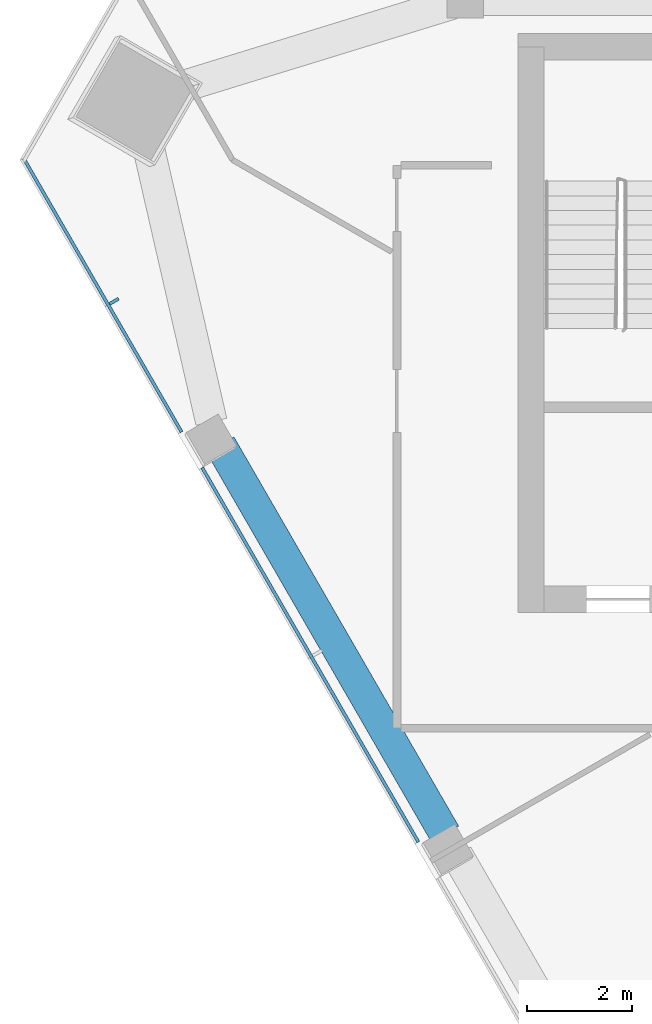
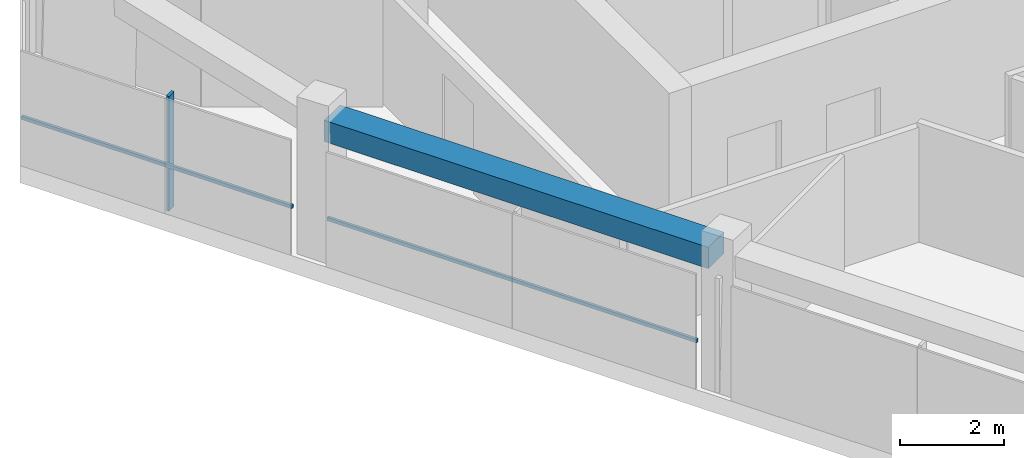
# One storey, part 3 of 9: 3 members, 1 beam, 1 element without a shape of its own.
"""IFC4 building model written with IfcOpenShell, lengths in metres."""

from ifc_helpers import new_model, si_unit, direction, frame, origin, origin_2d, place, context, subcontext, project, spatial, rectangle, extrude, material, layer, layer_set, material_profile, profile_set, type_object, element, aggregate, save


model = new_model("IFC4")

# Units and contexts
model_context = context("Model", 3, precision=1e-05, world=origin(), true_north=direction((0.0, 1.0)))
body_context = subcontext(model_context, "Body", "Model", "MODEL_VIEW")
ifc_project = project(units=[si_unit("LENGTHUNIT", "METRE"), si_unit("AREAUNIT", "SQUARE_METRE"), si_unit("VOLUMEUNIT", "CUBIC_METRE"), si_unit("PLANEANGLEUNIT", "RADIAN"), si_unit("MASSUNIT", "GRAM", prefix="KILO")], contexts=[model_context])

# Site, building, storey
site_placement = place(None, origin())
site = spatial("IfcSite", under=ifc_project, at=site_placement, CompositionType="ELEMENT")
building_placement = place(site_placement, origin())
building = spatial("IfcBuilding", under=site, at=building_placement, Name="Altiplano Prism Tower", CompositionType="ELEMENT")
storey_placement = place(building_placement, frame((0.0, 0.0, 305.800048828125)))
storey = spatial("IfcBuildingStorey", under=building, at=storey_placement, Name="L79", CompositionType="ELEMENT", Elevation=305.800048828125)

# Curtain wall, members
ifc_material_1 = material(Name="Aluminium and glass", Category="aluminium")
ifc_layer = layer(ifc_material_1, 0.303955078125)
ifc_layer_set = layer_set([ifc_layer], Name="Aluminium and glass")
curtain_wall_type = type_object("IfcCurtainWallType", Name="CW2 lounge-band unitised glazing", PredefinedType="NOTDEFINED", material=ifc_layer_set)
curtain_wall_placement = place(storey_placement, origin())
curtain_wall = element("IfcCurtainWall", 1, at=curtain_wall_placement, inside=storey, type_object=curtain_wall_type, Name="CW2 curtain wall south-west face L79", PredefinedType="NOTDEFINED")
ifc_material_2 = material(Name="Aluminium", Category="aluminium")
ifc_material_profile_1 = material_profile(ifc_material_2, rectangle(XDim=0.199951171875, YDim=0.06005859375, at=origin_2d()), Name="CW2 mullion 60 x 200")
ifc_profile_set_1 = profile_set([ifc_material_profile_1], Name="Aluminium")
member_type_1 = type_object("IfcMemberType", Name="CW2 mullion 60 x 200", PredefinedType="MULLION", material=ifc_profile_set_1)
member_1_placement = place(storey_placement, frame((64.82373046875, 98.8134765625, 0.0), z_axis=(0.0, 0.0, 1.0), x_axis=(0.866025399334, 0.500000007709, 0.0)))
member_1 = element("IfcMember", 2, at=member_1_placement, type_object=member_type_1, Name="CW2 mullion", PredefinedType="MULLION", context=body_context, shape_type="SweptSolid", body=[
    extrude(rectangle(XDim=0.199951171875, YDim=0.06005859375, at=origin_2d()), origin(), (0.0, 0.0, 1.0), 2.699951171875),
])
ifc_material_profile_2 = material_profile(ifc_material_2, rectangle(XDim=0.06005859375, YDim=0.080078125, at=origin_2d()), Name="CW2 transom 80 x 60")
ifc_profile_set_2 = profile_set([ifc_material_profile_2], Name="Aluminium")
member_type_2 = type_object("IfcMemberType", Name="CW2 transom 80 x 60", PredefinedType="USERDEFINED", material=ifc_profile_set_2)
member_2_placement = place(storey_placement, frame((63.10009765625, 101.5390625, 1.099853515625), z_axis=(0.499989486807, -0.866031473494, 0.0), x_axis=(0.866031473494, 0.499989486807, 0.0)))
member_2 = element("IfcMember", 3, at=member_2_placement, type_object=member_type_2, Name="CW2 transom", ObjectType="TRANSOM", PredefinedType="USERDEFINED", context=body_context, shape_type="SweptSolid", body=[
    extrude(rectangle(XDim=0.06005859375, YDim=0.080078125, at=origin_2d()), origin(), (0.0, 0.0, 1.0), 6.014892578125),
])
member_3_placement = place(storey_placement, frame((66.49755859375, 95.654296875, 1.099853515625), z_axis=(0.500004415232, -0.866022854634, 0.0), x_axis=(0.866022854634, 0.500004415232, 0.0)))
member_3 = element("IfcMember", 4, at=member_3_placement, type_object=member_type_2, Name="CW2 transom", ObjectType="TRANSOM", PredefinedType="USERDEFINED", context=body_context, shape_type="SweptSolid", body=[
    extrude(rectangle(XDim=0.06005859375, YDim=0.080078125, at=origin_2d()), origin(), (0.0, 0.0, 1.0), 8.2197265625),
])
aggregate(curtain_wall, [member_1, member_2, member_3])

# Beam
ifc_material_3 = material(Name="Concrete C60/75", Category="concrete")
ifc_material_profile_3 = material_profile(ifc_material_3, rectangle(XDim=0.60009765625, YDim=0.5, at=origin_2d()), Name="Edge beam 600x500")
ifc_profile_set_3 = profile_set([ifc_material_profile_3], Name="Concrete C60/75")
beam_type = type_object("IfcBeamType", Name="Edge beam 600x500", PredefinedType="SPANDREL", material=ifc_profile_set_3)
beam_placement = place(storey_placement, frame((66.843017578125, 96.08544921875, 2.949951171875), z_axis=(0.499994660107, -0.866028486751, 0.0), x_axis=(0.866028486751, 0.499994660107, 0.0)))
element("IfcBeam", 5, at=beam_placement, inside=storey, type_object=beam_type, Name="Edge beam P11-P12 L80", PredefinedType="SPANDREL", context=body_context, shape_type="SweptSolid", body=[
    extrude(rectangle(XDim=0.60009765625, YDim=0.5, at=origin_2d()), origin(), (0.0, 0.0, 1.0), 8.5400390625),
])

save(model, "model.ifc")
